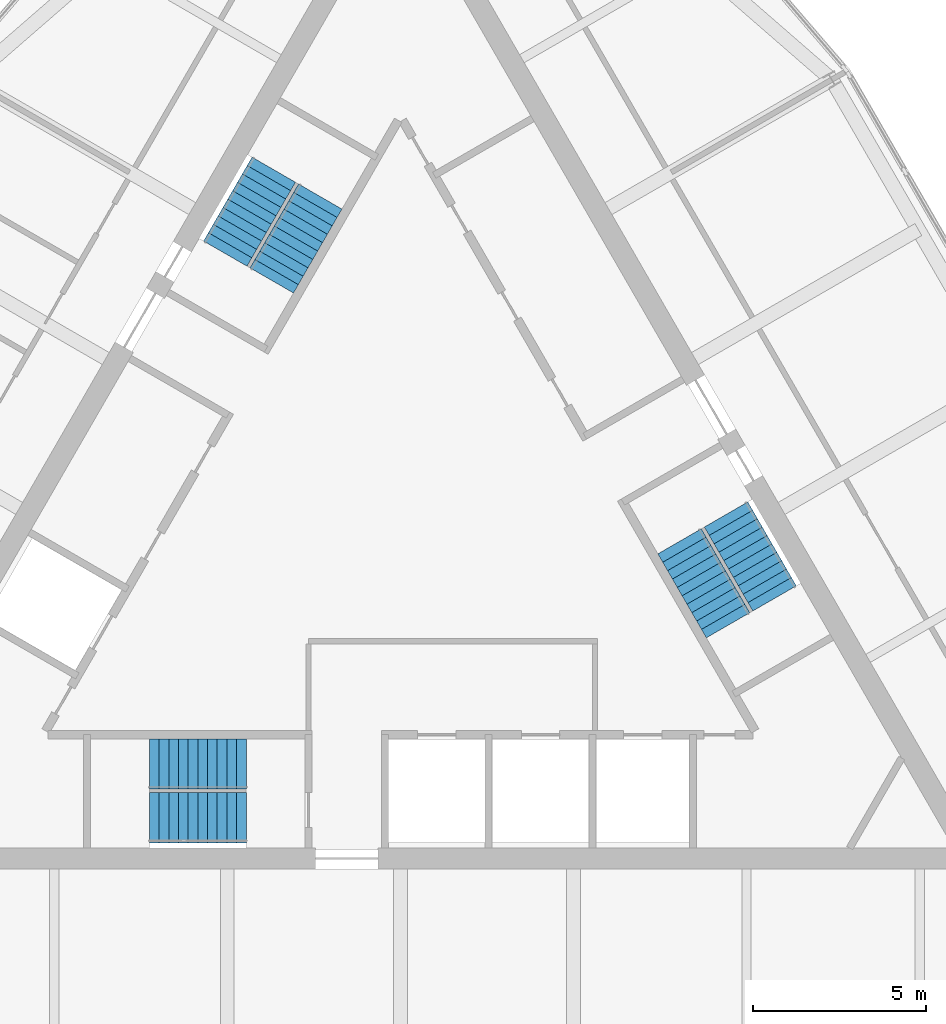
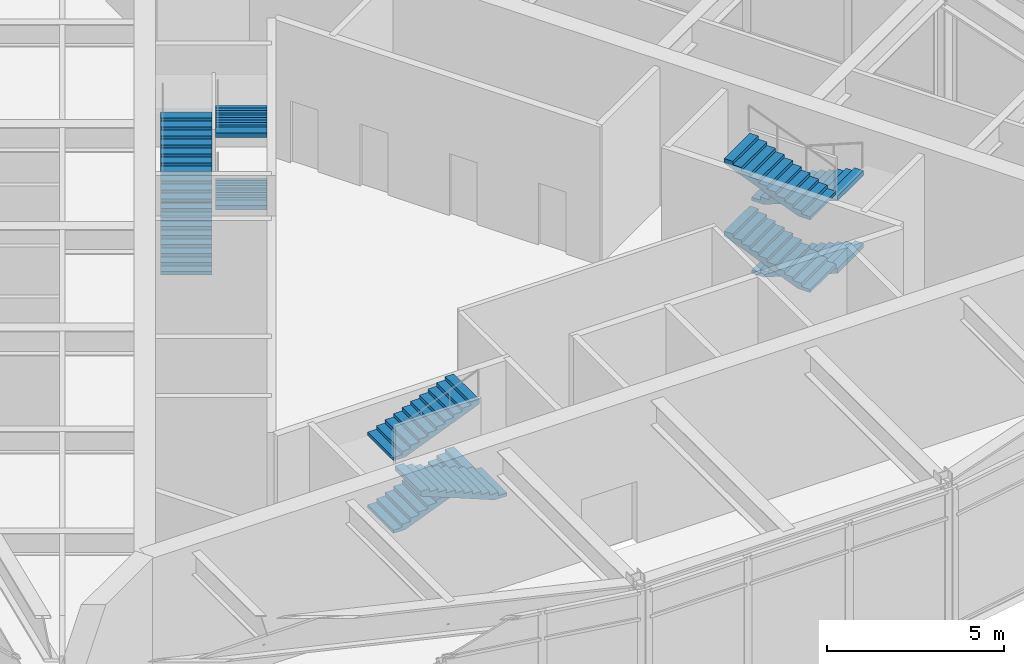
# One storey, part 8 of 9: 11 stair flights, 3 elements without a shape of their own.
"""IFC4 building model written with IfcOpenShell, lengths in metres."""

from ifc_helpers import new_model, si_unit, direction, frame, origin, place, context, subcontext, project, spatial, polyline, outline, extrude, material, type_object, element, aggregate, save


model = new_model("IFC4")

# Units and contexts
model_context = context("Model", 3, precision=1e-05, world=origin(), true_north=direction((0.0, 1.0)))
body_context = subcontext(model_context, "Body", "Model", "MODEL_VIEW")
ifc_project = project(units=[si_unit("LENGTHUNIT", "METRE"), si_unit("AREAUNIT", "SQUARE_METRE"), si_unit("VOLUMEUNIT", "CUBIC_METRE"), si_unit("PLANEANGLEUNIT", "RADIAN"), si_unit("MASSUNIT", "GRAM", prefix="KILO")], contexts=[model_context])

# Site, building, storey
site_placement = place(None, origin())
site = spatial("IfcSite", under=ifc_project, at=site_placement, CompositionType="ELEMENT")
building_placement = place(site_placement, origin())
building = spatial("IfcBuilding", under=site, at=building_placement, Name="Trikona Tower", CompositionType="ELEMENT")
storey_placement = place(building_placement, frame((0.0, 0.0, 292.800048828125)))
storey = spatial("IfcBuildingStorey", under=building, at=storey_placement, Name="L76", CompositionType="ELEMENT", Elevation=292.800048828125)

# Stair, stair flights
ifc_material_1 = material(Name="Concrete f'c 5000 psi", Category="concrete")
stair_type = type_object("IfcStairType", Name="Core stair", PredefinedType="HALF_TURN_STAIR", material=ifc_material_1)
stair_1_placement = place(storey_placement, origin())
stair_1 = element("IfcStair", 1, at=stair_1_placement, inside=storey, type_object=stair_type, Name="Stair A L76", PredefinedType="HALF_TURN_STAIR")
ifc_material_2 = material(Name="Concrete f'c 5000 psi", Category="concrete")
stair_flight_type = type_object("IfcStairFlightType", Name="Core stair flight 1450", PredefinedType="STRAIGHT", material=ifc_material_2)
stair_flight_1_placement = place(storey_placement, frame((-7.25, -6.80126953125, 1.25), z_axis=(0.0, 0.0, 1.0), x_axis=(1.0, 0.0, 0.0)))
stair_flight_1 = element("IfcStairFlight", 2, at=stair_flight_1_placement, type_object=stair_flight_type, Name="ST-A flight 2", NumberOfRisers=11, NumberOfTreads=10, PredefinedType="STRAIGHT", RiserHeight=0.113636, TreadLength=0.28, context=body_context, shape_type="SweptSolid", body=[
    extrude(outline(polyline([(0.0, 0.0), (0.0, 0.113525390625), (0.280029296875, 0.113525390625), (0.280029296875, 0.227294921875), (0.56005859375, 0.227294921875), (0.56005859375, 0.3408203125), (0.840087890625, 0.3408203125), (0.840087890625, 0.45458984375), (1.1201171875, 0.45458984375), (1.1201171875, 0.568115234375), (1.39990234375, 0.568115234375), (1.39990234375, 0.681884765625), (1.679931640625, 0.681884765625), (1.679931640625, 0.79541015625), (1.9599609375, 0.79541015625), (1.9599609375, 0.9091796875), (2.239990234375, 0.9091796875), (2.239990234375, 1.022705078125), (2.52001953125, 1.022705078125), (2.52001953125, 1.136474609375), (2.800048828125, 1.136474609375), (2.800048828125, 1.25), (2.800048828125, 0.974609375), (0.398681640625, 0.0), (0.0, 0.0)])), frame((0.0, 0.72509765625, 0.0), z_axis=(0.0, -1.0, 0.0), x_axis=(1.0, 0.0, 0.0)), (0.0, 0.0, 1.0), 1.449951171875),
])
stair_flight_2_placement = place(storey_placement, frame((-4.449951171875, -8.351318359375, 2.5), z_axis=(0.0, 0.0, 1.0), x_axis=(-1.0, 0.0, 0.0)))
stair_flight_2 = element("IfcStairFlight", 3, at=stair_flight_2_placement, type_object=stair_flight_type, Name="ST-A flight 3", NumberOfRisers=11, NumberOfTreads=10, PredefinedType="STRAIGHT", RiserHeight=0.113636, TreadLength=0.28, context=body_context, shape_type="SweptSolid", body=[
    extrude(outline(polyline([(0.0, 0.0), (0.0, 0.113525390625), (0.280029296875, 0.113525390625), (0.280029296875, 0.227294921875), (0.56005859375, 0.227294921875), (0.56005859375, 0.3408203125), (0.840087890625, 0.3408203125), (0.840087890625, 0.45458984375), (1.1201171875, 0.45458984375), (1.1201171875, 0.568115234375), (1.39990234375, 0.568115234375), (1.39990234375, 0.681884765625), (1.679931640625, 0.681884765625), (1.679931640625, 0.79541015625), (1.9599609375, 0.79541015625), (1.9599609375, 0.9091796875), (2.239990234375, 0.9091796875), (2.239990234375, 1.022705078125), (2.52001953125, 1.022705078125), (2.52001953125, 1.136474609375), (2.800048828125, 1.136474609375), (2.800048828125, 1.25), (2.800048828125, 0.974609375), (0.398681640625, 0.0), (0.0, 0.0)])), frame((0.0, 0.72509765625, 0.0), z_axis=(0.0, -1.0, 0.0), x_axis=(1.0, 0.0, 0.0)), (0.0, 0.0, 1.0), 1.449951171875),
])
stair_flight_3_placement = place(storey_placement, frame((-7.25, -6.80126953125, 3.75), z_axis=(0.0, 0.0, 1.0), x_axis=(1.0, 0.0, 0.0)))
stair_flight_3 = element("IfcStairFlight", 4, at=stair_flight_3_placement, type_object=stair_flight_type, Name="ST-A flight 4", NumberOfRisers=11, NumberOfTreads=10, PredefinedType="STRAIGHT", RiserHeight=0.113636, TreadLength=0.28, context=body_context, shape_type="SweptSolid", body=[
    extrude(outline(polyline([(0.0, 0.0), (0.0, 0.113525390625), (0.280029296875, 0.113525390625), (0.280029296875, 0.227294921875), (0.56005859375, 0.227294921875), (0.56005859375, 0.3408203125), (0.840087890625, 0.3408203125), (0.840087890625, 0.45458984375), (1.1201171875, 0.45458984375), (1.1201171875, 0.568115234375), (1.39990234375, 0.568115234375), (1.39990234375, 0.681884765625), (1.679931640625, 0.681884765625), (1.679931640625, 0.79541015625), (1.9599609375, 0.79541015625), (1.9599609375, 0.9091796875), (2.239990234375, 0.9091796875), (2.239990234375, 1.022705078125), (2.52001953125, 1.022705078125), (2.52001953125, 1.136474609375), (2.800048828125, 1.136474609375), (2.800048828125, 1.25), (2.800048828125, 0.974609375), (0.398681640625, 0.0), (0.0, 0.0)])), frame((0.0, 0.72509765625, 0.0), z_axis=(0.0, -1.0, 0.0), x_axis=(1.0, 0.0, 0.0)), (0.0, 0.0, 1.0), 1.449951171875),
])
aggregate(stair_1, [stair_flight_1, stair_flight_2, stair_flight_3])

stair_2_placement = place(storey_placement, origin())
stair_2 = element("IfcStair", 5, at=stair_2_placement, inside=storey, type_object=stair_type, Name="Stair B L76", PredefinedType="HALF_TURN_STAIR")
stair_flight_4_placement = place(storey_placement, frame((9.407470703125, 0.408447265625, 0.0), z_axis=(0.0, 0.0, 1.0), x_axis=(0.5, -0.866025403784, 0.0)))
stair_flight_4 = element("IfcStairFlight", 6, at=stair_flight_4_placement, type_object=stair_flight_type, Name="ST-B flight 1", NumberOfRisers=11, NumberOfTreads=10, PredefinedType="STRAIGHT", RiserHeight=0.113636, TreadLength=0.28, context=body_context, shape_type="SweptSolid", body=[
    extrude(outline(polyline([(0.0, 0.0), (0.0, 0.113525390625), (0.280029296875, 0.113525390625), (0.280029296875, 0.227294921875), (0.56005859375, 0.227294921875), (0.56005859375, 0.3408203125), (0.840087890625, 0.3408203125), (0.840087890625, 0.45458984375), (1.1201171875, 0.45458984375), (1.1201171875, 0.568115234375), (1.39990234375, 0.568115234375), (1.39990234375, 0.681884765625), (1.679931640625, 0.681884765625), (1.679931640625, 0.79541015625), (1.9599609375, 0.79541015625), (1.9599609375, 0.9091796875), (2.239990234375, 0.9091796875), (2.239990234375, 1.022705078125), (2.52001953125, 1.022705078125), (2.52001953125, 1.136474609375), (2.800048828125, 1.136474609375), (2.800048828125, 1.25), (2.800048828125, 0.974609375), (0.398681640625, 0.0), (0.0, 0.0)])), frame((0.0, 0.72509765625, 0.0), z_axis=(0.0, -1.0, 0.0), x_axis=(1.0, 0.0, 0.0)), (0.0, 0.0, 1.0), 1.449951171875),
])
stair_flight_5_placement = place(storey_placement, frame((9.465087890625, -2.79150390625, 1.25), z_axis=(0.0, 0.0, 1.0), x_axis=(-0.5, 0.866025403784, 0.0)))
stair_flight_5 = element("IfcStairFlight", 7, at=stair_flight_5_placement, type_object=stair_flight_type, Name="ST-B flight 2", NumberOfRisers=11, NumberOfTreads=10, PredefinedType="STRAIGHT", RiserHeight=0.113636, TreadLength=0.28, context=body_context, shape_type="SweptSolid", body=[
    extrude(outline(polyline([(0.0, 0.0), (0.0, 0.113525390625), (0.280029296875, 0.113525390625), (0.280029296875, 0.227294921875), (0.56005859375, 0.227294921875), (0.56005859375, 0.3408203125), (0.840087890625, 0.3408203125), (0.840087890625, 0.45458984375), (1.1201171875, 0.45458984375), (1.1201171875, 0.568115234375), (1.39990234375, 0.568115234375), (1.39990234375, 0.681884765625), (1.679931640625, 0.681884765625), (1.679931640625, 0.79541015625), (1.9599609375, 0.79541015625), (1.9599609375, 0.9091796875), (2.239990234375, 0.9091796875), (2.239990234375, 1.022705078125), (2.52001953125, 1.022705078125), (2.52001953125, 1.136474609375), (2.800048828125, 1.136474609375), (2.800048828125, 1.25), (2.800048828125, 0.974609375), (0.398681640625, 0.0), (0.0, 0.0)])), frame((0.0, 0.72509765625, 0.0), z_axis=(0.0, -1.0, 0.0), x_axis=(1.0, 0.0, 0.0)), (0.0, 0.0, 1.0), 1.449951171875),
])
stair_flight_6_placement = place(storey_placement, frame((9.407470703125, 0.408447265625, 2.5), z_axis=(0.0, 0.0, 1.0), x_axis=(0.5, -0.866025403784, 0.0)))
stair_flight_6 = element("IfcStairFlight", 8, at=stair_flight_6_placement, type_object=stair_flight_type, Name="ST-B flight 3", NumberOfRisers=11, NumberOfTreads=10, PredefinedType="STRAIGHT", RiserHeight=0.113636, TreadLength=0.28, context=body_context, shape_type="SweptSolid", body=[
    extrude(outline(polyline([(0.0, 0.0), (0.0, 0.113525390625), (0.280029296875, 0.113525390625), (0.280029296875, 0.227294921875), (0.56005859375, 0.227294921875), (0.56005859375, 0.3408203125), (0.840087890625, 0.3408203125), (0.840087890625, 0.45458984375), (1.1201171875, 0.45458984375), (1.1201171875, 0.568115234375), (1.39990234375, 0.568115234375), (1.39990234375, 0.681884765625), (1.679931640625, 0.681884765625), (1.679931640625, 0.79541015625), (1.9599609375, 0.79541015625), (1.9599609375, 0.9091796875), (2.239990234375, 0.9091796875), (2.239990234375, 1.022705078125), (2.52001953125, 1.022705078125), (2.52001953125, 1.136474609375), (2.800048828125, 1.136474609375), (2.800048828125, 1.25), (2.800048828125, 0.974609375), (0.398681640625, 0.0), (0.0, 0.0)])), frame((0.0, 0.72509765625, 0.0), z_axis=(0.0, -1.0, 0.0), x_axis=(1.0, 0.0, 0.0)), (0.0, 0.0, 1.0), 1.449951171875),
])
stair_flight_7_placement = place(storey_placement, frame((9.465087890625, -2.79150390625, 3.75), z_axis=(0.0, 0.0, 1.0), x_axis=(-0.5, 0.866025403784, 0.0)))
stair_flight_7 = element("IfcStairFlight", 9, at=stair_flight_7_placement, type_object=stair_flight_type, Name="ST-B flight 4", NumberOfRisers=11, NumberOfTreads=10, PredefinedType="STRAIGHT", RiserHeight=0.113636, TreadLength=0.28, context=body_context, shape_type="SweptSolid", body=[
    extrude(outline(polyline([(0.0, 0.0), (0.0, 0.113525390625), (0.280029296875, 0.113525390625), (0.280029296875, 0.227294921875), (0.56005859375, 0.227294921875), (0.56005859375, 0.3408203125), (0.840087890625, 0.3408203125), (0.840087890625, 0.45458984375), (1.1201171875, 0.45458984375), (1.1201171875, 0.568115234375), (1.39990234375, 0.568115234375), (1.39990234375, 0.681884765625), (1.679931640625, 0.681884765625), (1.679931640625, 0.79541015625), (1.9599609375, 0.79541015625), (1.9599609375, 0.9091796875), (2.239990234375, 0.9091796875), (2.239990234375, 1.022705078125), (2.52001953125, 1.022705078125), (2.52001953125, 1.136474609375), (2.800048828125, 1.136474609375), (2.800048828125, 1.25), (2.800048828125, 0.974609375), (0.398681640625, 0.0), (0.0, 0.0)])), frame((0.0, 0.72509765625, 0.0), z_axis=(0.0, -1.0, 0.0), x_axis=(1.0, 0.0, 0.0)), (0.0, 0.0, 1.0), 1.449951171875),
])
aggregate(stair_2, [stair_flight_4, stair_flight_5, stair_flight_6, stair_flight_7])

stair_3_placement = place(storey_placement, origin())
stair_3 = element("IfcStair", 10, at=stair_3_placement, inside=storey, type_object=stair_type, Name="Stair C L76", PredefinedType="HALF_TURN_STAIR")
stair_flight_8_placement = place(storey_placement, frame((-5.057373046875, 7.94287109375, 0.0), z_axis=(0.0, 0.0, 1.0), x_axis=(0.5, 0.866025403784, 0.0)))
stair_flight_8 = element("IfcStairFlight", 11, at=stair_flight_8_placement, type_object=stair_flight_type, Name="ST-C flight 1", NumberOfRisers=11, NumberOfTreads=10, PredefinedType="STRAIGHT", RiserHeight=0.113636, TreadLength=0.28, context=body_context, shape_type="SweptSolid", body=[
    extrude(outline(polyline([(0.0, 0.0), (0.0, 0.113525390625), (0.280029296875, 0.113525390625), (0.280029296875, 0.227294921875), (0.56005859375, 0.227294921875), (0.56005859375, 0.3408203125), (0.840087890625, 0.3408203125), (0.840087890625, 0.45458984375), (1.1201171875, 0.45458984375), (1.1201171875, 0.568115234375), (1.39990234375, 0.568115234375), (1.39990234375, 0.681884765625), (1.679931640625, 0.681884765625), (1.679931640625, 0.79541015625), (1.9599609375, 0.79541015625), (1.9599609375, 0.9091796875), (2.239990234375, 0.9091796875), (2.239990234375, 1.022705078125), (2.52001953125, 1.022705078125), (2.52001953125, 1.136474609375), (2.800048828125, 1.136474609375), (2.800048828125, 1.25), (2.800048828125, 0.974609375), (0.398681640625, 0.0), (0.0, 0.0)])), frame((0.0, 0.72509765625, 0.0), z_axis=(0.0, -1.0, 0.0), x_axis=(1.0, 0.0, 0.0)), (0.0, 0.0, 1.0), 1.449951171875),
])
stair_flight_9_placement = place(storey_placement, frame((-2.315185546875, 9.5927734375, 1.25), z_axis=(0.0, 0.0, 1.0), x_axis=(-0.5, -0.866025403784, 0.0)))
stair_flight_9 = element("IfcStairFlight", 12, at=stair_flight_9_placement, type_object=stair_flight_type, Name="ST-C flight 2", NumberOfRisers=11, NumberOfTreads=10, PredefinedType="STRAIGHT", RiserHeight=0.113636, TreadLength=0.28, context=body_context, shape_type="SweptSolid", body=[
    extrude(outline(polyline([(0.0, 0.0), (0.0, 0.113525390625), (0.280029296875, 0.113525390625), (0.280029296875, 0.227294921875), (0.56005859375, 0.227294921875), (0.56005859375, 0.3408203125), (0.840087890625, 0.3408203125), (0.840087890625, 0.45458984375), (1.1201171875, 0.45458984375), (1.1201171875, 0.568115234375), (1.39990234375, 0.568115234375), (1.39990234375, 0.681884765625), (1.679931640625, 0.681884765625), (1.679931640625, 0.79541015625), (1.9599609375, 0.79541015625), (1.9599609375, 0.9091796875), (2.239990234375, 0.9091796875), (2.239990234375, 1.022705078125), (2.52001953125, 1.022705078125), (2.52001953125, 1.136474609375), (2.800048828125, 1.136474609375), (2.800048828125, 1.25), (2.800048828125, 0.974609375), (0.398681640625, 0.0), (0.0, 0.0)])), frame((0.0, 0.72509765625, 0.0), z_axis=(0.0, -1.0, 0.0), x_axis=(1.0, 0.0, 0.0)), (0.0, 0.0, 1.0), 1.449951171875),
])
stair_flight_10_placement = place(storey_placement, frame((-5.057373046875, 7.94287109375, 2.5), z_axis=(0.0, 0.0, 1.0), x_axis=(0.5, 0.866025403784, 0.0)))
stair_flight_10 = element("IfcStairFlight", 13, at=stair_flight_10_placement, type_object=stair_flight_type, Name="ST-C flight 3", NumberOfRisers=11, NumberOfTreads=10, PredefinedType="STRAIGHT", RiserHeight=0.113636, TreadLength=0.28, context=body_context, shape_type="SweptSolid", body=[
    extrude(outline(polyline([(0.0, 0.0), (0.0, 0.113525390625), (0.280029296875, 0.113525390625), (0.280029296875, 0.227294921875), (0.56005859375, 0.227294921875), (0.56005859375, 0.3408203125), (0.840087890625, 0.3408203125), (0.840087890625, 0.45458984375), (1.1201171875, 0.45458984375), (1.1201171875, 0.568115234375), (1.39990234375, 0.568115234375), (1.39990234375, 0.681884765625), (1.679931640625, 0.681884765625), (1.679931640625, 0.79541015625), (1.9599609375, 0.79541015625), (1.9599609375, 0.9091796875), (2.239990234375, 0.9091796875), (2.239990234375, 1.022705078125), (2.52001953125, 1.022705078125), (2.52001953125, 1.136474609375), (2.800048828125, 1.136474609375), (2.800048828125, 1.25), (2.800048828125, 0.974609375), (0.398681640625, 0.0), (0.0, 0.0)])), frame((0.0, 0.72509765625, 0.0), z_axis=(0.0, -1.0, 0.0), x_axis=(1.0, 0.0, 0.0)), (0.0, 0.0, 1.0), 1.449951171875),
])
stair_flight_11_placement = place(storey_placement, frame((-2.315185546875, 9.5927734375, 3.75), z_axis=(0.0, 0.0, 1.0), x_axis=(-0.5, -0.866025403784, 0.0)))
stair_flight_11 = element("IfcStairFlight", 14, at=stair_flight_11_placement, type_object=stair_flight_type, Name="ST-C flight 4", NumberOfRisers=11, NumberOfTreads=10, PredefinedType="STRAIGHT", RiserHeight=0.113636, TreadLength=0.28, context=body_context, shape_type="SweptSolid", body=[
    extrude(outline(polyline([(0.0, 0.0), (0.0, 0.113525390625), (0.280029296875, 0.113525390625), (0.280029296875, 0.227294921875), (0.56005859375, 0.227294921875), (0.56005859375, 0.3408203125), (0.840087890625, 0.3408203125), (0.840087890625, 0.45458984375), (1.1201171875, 0.45458984375), (1.1201171875, 0.568115234375), (1.39990234375, 0.568115234375), (1.39990234375, 0.681884765625), (1.679931640625, 0.681884765625), (1.679931640625, 0.79541015625), (1.9599609375, 0.79541015625), (1.9599609375, 0.9091796875), (2.239990234375, 0.9091796875), (2.239990234375, 1.022705078125), (2.52001953125, 1.022705078125), (2.52001953125, 1.136474609375), (2.800048828125, 1.136474609375), (2.800048828125, 1.25), (2.800048828125, 0.974609375), (0.398681640625, 0.0), (0.0, 0.0)])), frame((0.0, 0.72509765625, 0.0), z_axis=(0.0, -1.0, 0.0), x_axis=(1.0, 0.0, 0.0)), (0.0, 0.0, 1.0), 1.449951171875),
])
aggregate(stair_3, [stair_flight_8, stair_flight_9, stair_flight_10, stair_flight_11])

save(model, "model.ifc")
